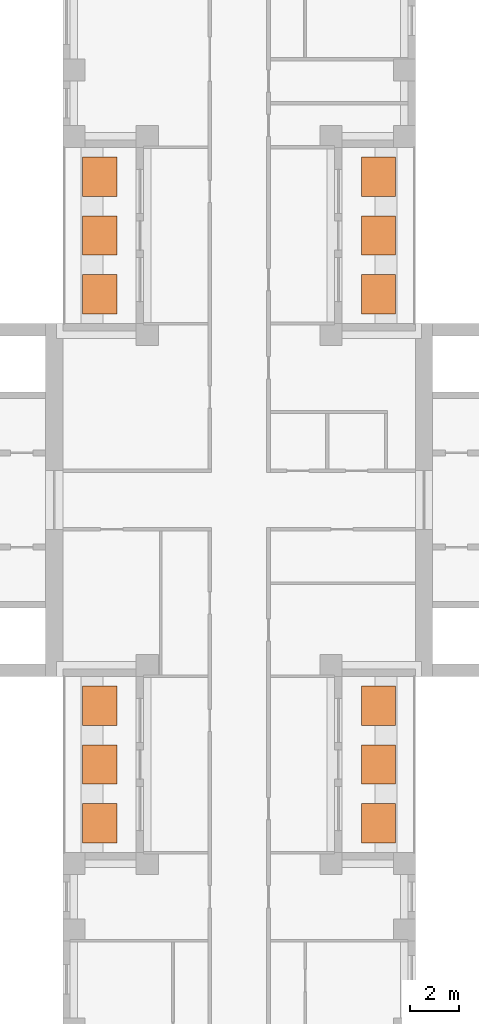
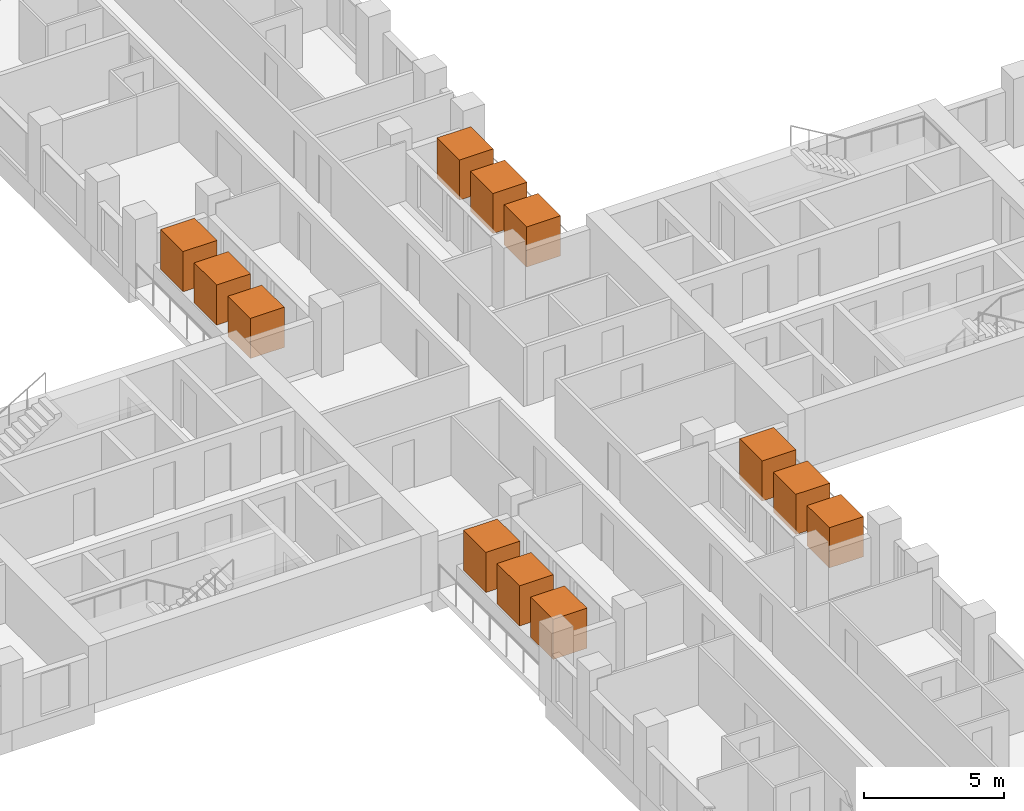
# One storey, part 15 of 15: 12 geographic elements.
"""IFC4 building model written with IfcOpenShell, lengths in metres."""

from ifc_helpers import new_model, si_unit, direction, frame, origin, origin_2d, place, context, subcontext, project, spatial, rectangle, extrude, material, element, save


model = new_model("IFC4")

# Units and contexts
model_context = context("Model", 3, precision=1e-05, world=origin(), true_north=direction((0.0, 1.0)))
body_context = subcontext(model_context, "Body", "Model", "MODEL_VIEW")
ifc_project = project(units=[si_unit("LENGTHUNIT", "METRE"), si_unit("AREAUNIT", "SQUARE_METRE"), si_unit("VOLUMEUNIT", "CUBIC_METRE"), si_unit("PLANEANGLEUNIT", "RADIAN"), si_unit("MASSUNIT", "GRAM", prefix="KILO")], contexts=[model_context])

# Site, building, storey
site_placement = place(None, origin())
site = spatial("IfcSite", under=ifc_project, at=site_placement, CompositionType="ELEMENT")
building_placement = place(site_placement, origin())
building = spatial("IfcBuilding", under=site, at=building_placement, Name="Fustian Cross Tower", CompositionType="ELEMENT")
storey_placement = place(building_placement, frame((0.0, 0.0, 47.699951171875)))
storey = spatial("IfcBuildingStorey", under=building, at=storey_placement, Name="L14", CompositionType="ELEMENT", Elevation=47.699951171875)

# Geographic elements
ifc_material = material(Name="Evergreen foliage")
for number, where, z_axis, x_axis, name in (
    (1, (5.68994140625, 8.39990234375, 0.800048828125), (0.0, 0.0, 1.0), (1.0, 0.0, 0.0), "TREE field maple"),
    (2, (5.68994140625, 10.800048828125, 0.800048828125), (0.0, 0.0, 1.0), (1.0, 0.0, 0.0), "TREE field maple"),
    (3, (5.68994140625, 13.199951171875, 0.800048828125), (0.0, 0.0, 1.0), (1.0, 0.0, 0.0), "TREE field maple"),
    (4, (-5.68994140625, 8.39990234375, 0.800048828125), (0.0, 0.0, 1.0), (1.0, 0.0, 0.0), "TREE field maple"),
    (5, (-5.68994140625, 10.800048828125, 0.800048828125), (0.0, 0.0, 1.0), (1.0, 0.0, 0.0), "TREE field maple"),
    (6, (-5.68994140625, 13.199951171875, 0.800048828125), (0.0, 0.0, 1.0), (1.0, 0.0, 0.0), "TREE field maple"),
    (7, (5.68994140625, -13.199951171875, 0.800048828125), (0.0, 0.0, 1.0), (1.0, 0.0, 0.0), "TREE field maple"),
    (8, (5.68994140625, -10.800048828125, 0.800048828125), (0.0, 0.0, 1.0), (1.0, 0.0, 0.0), "TREE field maple"),
    (9, (5.68994140625, -8.39990234375, 0.800048828125), (0.0, 0.0, 1.0), (1.0, 0.0, 0.0), "TREE field maple"),
    (10, (-5.68994140625, -13.199951171875, 0.800048828125), (0.0, 0.0, 1.0), (1.0, 0.0, 0.0), "TREE field maple"),
    (11, (-5.68994140625, -10.800048828125, 0.800048828125), (0.0, 0.0, 1.0), (1.0, 0.0, 0.0), "TREE field maple"),
    (12, (-5.68994140625, -8.39990234375, 0.800048828125), (0.0, 0.0, 1.0), (1.0, 0.0, 0.0), "TREE field maple"),
):
    element("IfcGeographicElement", number, at=place(storey_placement, frame(where, z_axis=z_axis, x_axis=x_axis)), inside=storey, material=ifc_material, Name=name, ObjectType="VEGETATION", PredefinedType="USERDEFINED", context=body_context, shape_type="SweptSolid", body=[
        extrude(rectangle(XDim=1.39990234375, YDim=1.60009765625, at=origin_2d()), origin(), (0.0, 0.0, 1.0), 1.75),
    ])

save(model, "model.ifc")
